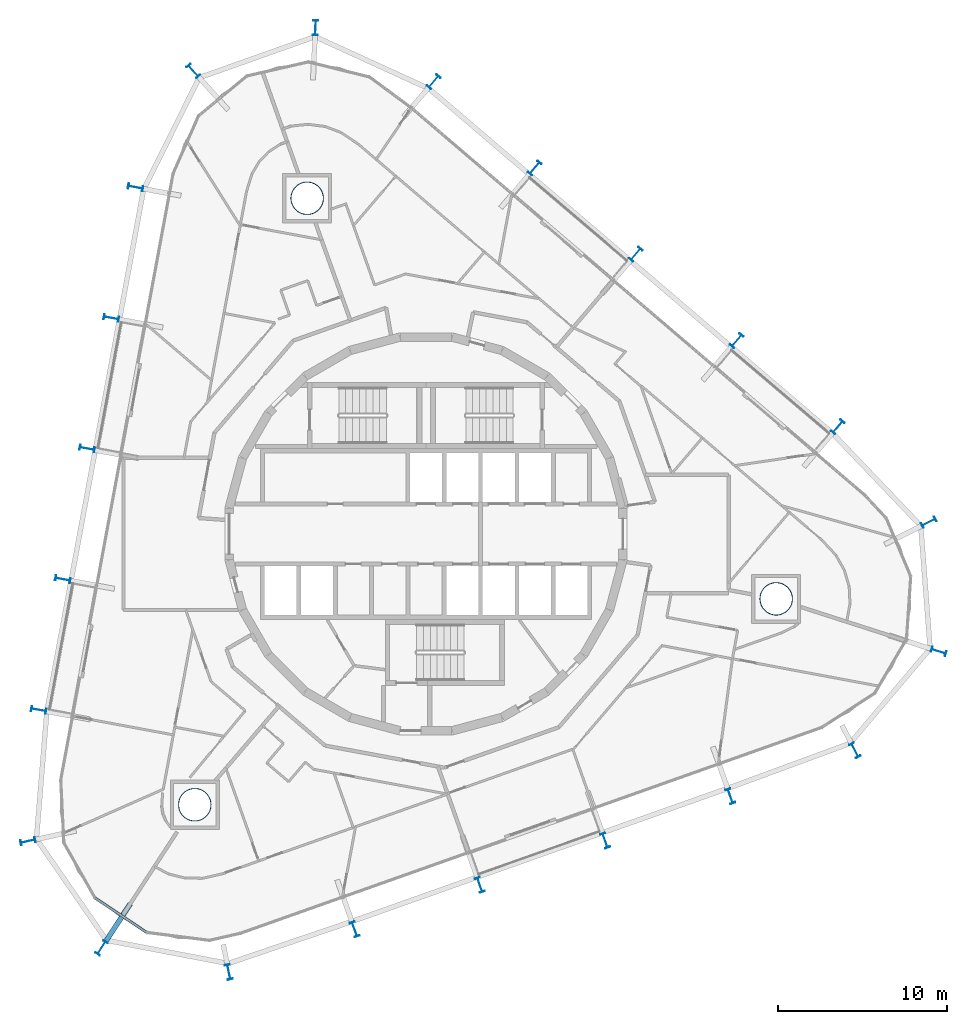
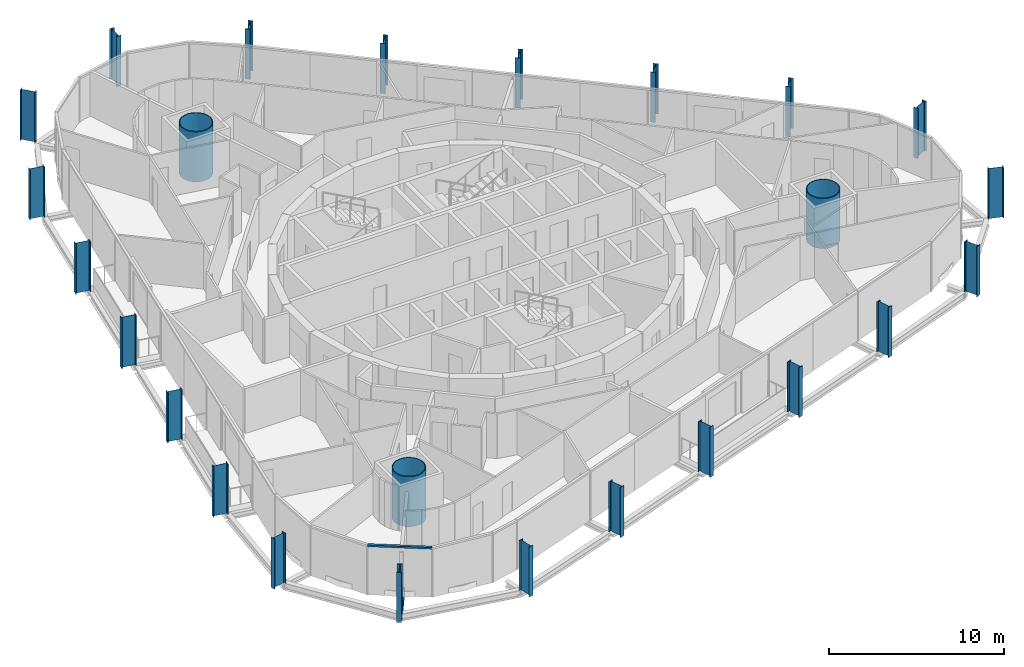
# One storey, part 1 of 17: 25 columns, 1 beam, 1 member, 1 element without a shape of its own.
"""IFC4 building model written with IfcOpenShell, lengths in metres."""

from ifc_helpers import new_model, si_unit, direction, frame, origin, origin_2d, place, context, subcontext, project, spatial, rectangle, hollow_circle, i_section, extrude, material, layer, layer_set, material_profile, profile_set, type_object, element, aggregate, save


model = new_model("IFC4")

# Units and contexts
model_context = context("Model", 3, precision=1e-05, world=origin(), true_north=direction((0.0, 1.0)))
body_context = subcontext(model_context, "Body", "Model", "MODEL_VIEW")
ifc_project = project(units=[si_unit("LENGTHUNIT", "METRE"), si_unit("AREAUNIT", "SQUARE_METRE"), si_unit("VOLUMEUNIT", "CUBIC_METRE"), si_unit("PLANEANGLEUNIT", "RADIAN"), si_unit("MASSUNIT", "GRAM", prefix="KILO")], contexts=[model_context])

# Site, building, storey
site_placement = place(None, origin())
site = spatial("IfcSite", under=ifc_project, at=site_placement, CompositionType="ELEMENT")
building_placement = place(site_placement, origin())
building = spatial("IfcBuilding", under=site, at=building_placement, Name="Spindle Arch Residences", CompositionType="ELEMENT")
storey_placement = place(building_placement, frame((0.0, 0.0, 155.199951171875)))
storey = spatial("IfcBuildingStorey", under=building, at=storey_placement, Name="L38", CompositionType="ELEMENT", Elevation=155.199951171875)

# Columns
ifc_material_1 = material(Name="Steel S460ML, intumescent coating R 240", Category="steel")
ifc_material_profile_1 = material_profile(ifc_material_1, i_section(OverallWidth=0.300048828125, OverallDepth=0.89990234375, WebThickness=0.0185546875, FlangeThickness=0.034912109375, FilletRadius=0.030029296875, at=origin_2d()), Name="HEB 900")
ifc_profile_set_1 = profile_set([ifc_material_profile_1], Name="Steel S460ML, intumescent coating R 240")
column_type_1 = type_object("IfcColumnType", Name="Exoskeleton post HEB 900", PredefinedType="COLUMN", material=ifc_profile_set_1)
for number, where, z_axis, x_axis, name in (
    (1, (10.592041015625, -18.1376953125, -0.3798828125), (0.0, 0.0, 1.0), (-0.942641392079, -0.333807138839, 0.0), "Exoskeleton post 1"),
    (2, (18.001220703125, -15.513916015625, -0.3798828125), (0.0, 0.0, 1.0), (-0.942641392079, -0.333807138839, 0.0), "Exoskeleton post 2"),
    (3, (25.37353515625, -12.79931640625, -0.3798828125), (0.0, 0.0, 1.0), (-0.887176487998, -0.461430253823, 0.0), "Exoskeleton post 3"),
    (4, (30.322509765625, -6.948486328125, -0.3798828125), (0.0, 0.0, 1.0), (-0.307880057726, -0.95142517838, 0.0), "Exoskeleton post 4"),
    (5, (29.739501953125, 0.6923828125, -0.3798828125), (0.0, 0.0, 1.0), (0.448657012727, -0.893704025352, 0.0), "Exoskeleton post 5"),
    (6, (24.357666015625, 6.330810546875, -0.3798828125), (0.0, 0.0, 1.0), (0.76040600398, -0.649448003393, 0.0), "Exoskeleton post 6"),
    (7, (18.380615234375, 11.435546875, -0.3798828125), (0.0, 0.0, 1.0), (0.76040600398, -0.649448003393, 0.0), "Exoskeleton post 7"),
    (8, (12.40380859375, 16.540283203125, -0.3798828125), (0.0, 0.0, 1.0), (0.76040600398, -0.649448003393, 0.0), "Exoskeleton post 8"),
    (9, (6.427001953125, 21.64501953125, -0.3798828125), (0.0, 0.0, 1.0), (0.76040600398, -0.649448003393, 0.0), "Exoskeleton post 9"),
    (10, (0.4501953125, 26.74951171875, -0.3798828125), (0.0, 0.0, 1.0), (0.76040600398, -0.649448003393, 0.0), "Exoskeleton post 10"),
    (11, (-6.53955078125, 29.945556640625, -0.3798828125), (0.0, 0.0, 1.0), (0.998810817099, -0.048753991075, 0.0), "Exoskeleton post 11"),
    (12, (-13.76318359375, 27.387451171875, -0.3798828125), (0.0, 0.0, 1.0), (0.745539941806, 0.666460947972, 0.0), "Exoskeleton post 12"),
    (13, (-17.183837890625, 20.505126953125, -0.3798828125), (0.0, 0.0, 1.0), (0.182235967681, 0.983254825609, 0.0), "Exoskeleton post 13"),
    (14, (-18.6162109375, 12.776611328125, -0.3798828125), (0.0, 0.0, 1.0), (0.182235967681, 0.983254825609, 0.0), "Exoskeleton post 14"),
    (15, (-20.048583984375, 5.048095703125, -0.3798828125), (0.0, 0.0, 1.0), (0.182235967681, 0.983254825609, 0.0), "Exoskeleton post 15"),
    (16, (-21.481201171875, -2.680419921875, -0.3798828125), (0.0, 0.0, 1.0), (0.182235967681, 0.983254825609, 0.0), "Exoskeleton post 16"),
    (17, (-22.91357421875, -10.40869140625, -0.3798828125), (0.0, 0.0, 1.0), (0.182235967681, 0.983254825609, 0.0), "Exoskeleton post 17"),
    (18, (-23.5478515625, -18.177490234375, -0.3798828125), (0.0, 0.0, 1.0), (-0.213754108667, 0.976887496607, 0.0), "Exoskeleton post 18"),
    (19, (-19.192138671875, -24.482666015625, -0.3798828125), (0.0, 0.0, 1.0), (-0.838019022948, 0.545641014933, 0.0), "Exoskeleton post 19"),
    (20, (-11.6640625, -25.9150390625, -0.3798828125), (0.0, 0.0, 1.0), (-0.979853205488, -0.199719041891, 0.0), "Exoskeleton post 20"),
    (21, (-4.226318359375, -23.385009765625, -0.3798828125), (0.0, 0.0, 1.0), (-0.942641392079, -0.333807138839, 0.0), "Exoskeleton post 21"),
    (22, (3.182861328125, -20.76123046875, -0.3798828125), (0.0, 0.0, 1.0), (-0.942641392079, -0.333807138839, 0.0), "Exoskeleton post 22"),
):
    element("IfcColumn", number, at=place(storey_placement, frame(where, z_axis=z_axis, x_axis=x_axis)), inside=storey, type_object=column_type_1, Name=name, PredefinedType="COLUMN", context=body_context, shape_type="SweptSolid", body=[
        extrude(i_section(OverallWidth=0.300048828125, OverallDepth=0.89990234375, WebThickness=0.0185546875, FlangeThickness=0.034912109375, FilletRadius=0.030029296875, at=origin_2d()), origin(), (0.0, 0.0, 1.0), 3.5),
    ])
ifc_material_2 = material(Name="Concrete C50/60 filled steel tube S460ML, intumescent coating R 240", Category="concrete")
ifc_material_profile_2 = material_profile(ifc_material_2, hollow_circle(Radius=0.97509765625, WallThickness=0.044921875, at=origin_2d()), Name="CFT D1950x45")
ifc_profile_set_2 = profile_set([ifc_material_profile_2], Name="Concrete C50/60 filled steel tube S460ML, intumescent coating R 240")
column_type_2 = type_object("IfcColumnType", Name="Mega-column CFT D1950x45", PredefinedType="COLUMN", material=ifc_profile_set_2)
for number, where, z_axis, x_axis, name in (
    (23, (20.713134765625, -3.839111328125, -0.3798828125), (0.0, 0.0, 1.0), (1.0, 0.0, 0.0), "Mega-column 1"),
    (24, (-7.031982421875, 19.857666015625, -0.3798828125), (0.0, 0.0, 1.0), (1.0, 0.0, 0.0), "Mega-column 2"),
    (25, (-13.68115234375, -16.0185546875, -0.3798828125), (0.0, 0.0, 1.0), (1.0, 0.0, 0.0), "Mega-column 3"),
):
    element("IfcColumn", number, at=place(storey_placement, frame(where, z_axis=z_axis, x_axis=x_axis)), inside=storey, type_object=column_type_2, Name=name, PredefinedType="COLUMN", context=body_context, shape_type="SweptSolid", body=[
        extrude(hollow_circle(Radius=0.97509765625, WallThickness=0.044921875, at=origin_2d()), origin(), (0.0, 0.0, 1.0), 3.5),
    ])

# Curtain wall, member
ifc_material_3 = material(Name="Aluminium bronze unitised frame with tinted glass", Category="aluminium")
ifc_layer = layer(ifc_material_3, 0.159912109375)
ifc_layer_set = layer_set([ifc_layer], Name="CW-D corner wall on the fillet arcs")
curtain_wall_type = type_object("IfcCurtainWallType", Name="CW-D corner wall on the fillet arcs", PredefinedType="NOTDEFINED", material=ifc_layer_set)
curtain_wall_placement = place(storey_placement, origin())
curtain_wall = element("IfcCurtainWall", 26, at=curtain_wall_placement, inside=storey, type_object=curtain_wall_type, Name="CW-D L38 run 5", PredefinedType="NOTDEFINED")
ifc_material_4 = material(Name="Aluminium bronze anodised transom", Category="aluminium")
ifc_material_profile_3 = material_profile(ifc_material_4, rectangle(XDim=0.159912109375, YDim=0.1201171875, at=origin_2d()), Name="TR 120x160")
ifc_profile_set_3 = profile_set([ifc_material_profile_3], Name="Aluminium bronze anodised transom")
member_type = type_object("IfcMemberType", Name="Bronze transom 120x160", PredefinedType="USERDEFINED", material=ifc_profile_set_3)
member_placement = place(storey_placement, frame((-19.58154296875, -21.528564453125, 3.06005859375), z_axis=(0.830623700005, -0.556834148549, 0.0), x_axis=(0.556834148549, 0.830623700005, 0.0)))
member = element("IfcMember", 27, at=member_placement, type_object=member_type, Name="CW-D transom 03", ObjectType="TRANSOM", PredefinedType="USERDEFINED", context=body_context, shape_type="SweptSolid", body=[
    extrude(rectangle(XDim=0.159912109375, YDim=0.1201171875, at=origin_2d()), origin(), (0.0, 0.0, 1.0), 3.666748046875),
])
aggregate(curtain_wall, [member])

# Beam
ifc_material_5 = material(Name="Steel S460ML, intumescent coating R 120", Category="steel")
ifc_material_profile_4 = material_profile(ifc_material_5, i_section(OverallWidth=0.300048828125, OverallDepth=0.389892578125, WebThickness=0.010986328125, FlangeThickness=0.01904296875, FilletRadius=0.027099609375, at=origin_2d()), Name="HEA 400")
ifc_profile_set_4 = profile_set([ifc_material_profile_4], Name="Steel S460ML, intumescent coating R 120")
beam_type = type_object("IfcBeamType", Name="Floor outrigger HEA 400", PredefinedType="BEAM", material=ifc_profile_set_4)
beam_placement = place(storey_placement, frame((-18.94677734375, -24.10546875, -0.574951171875), z_axis=(0.545674675997, 0.837997104992, 0.0), x_axis=(-0.837997104992, 0.545674675997, 0.0)))
element("IfcBeam", 28, at=beam_placement, inside=storey, type_object=beam_type, Name="Floor outrigger 19", PredefinedType="BEAM", context=body_context, shape_type="SweptSolid", body=[
    extrude(i_section(OverallWidth=0.300048828125, OverallDepth=0.389892578125, WebThickness=0.010986328125, FlangeThickness=0.01904296875, FilletRadius=0.027099609375, at=origin_2d()), origin(), (0.0, 0.0, 1.0), 2.64990234375),
])

save(model, "model.ifc")
